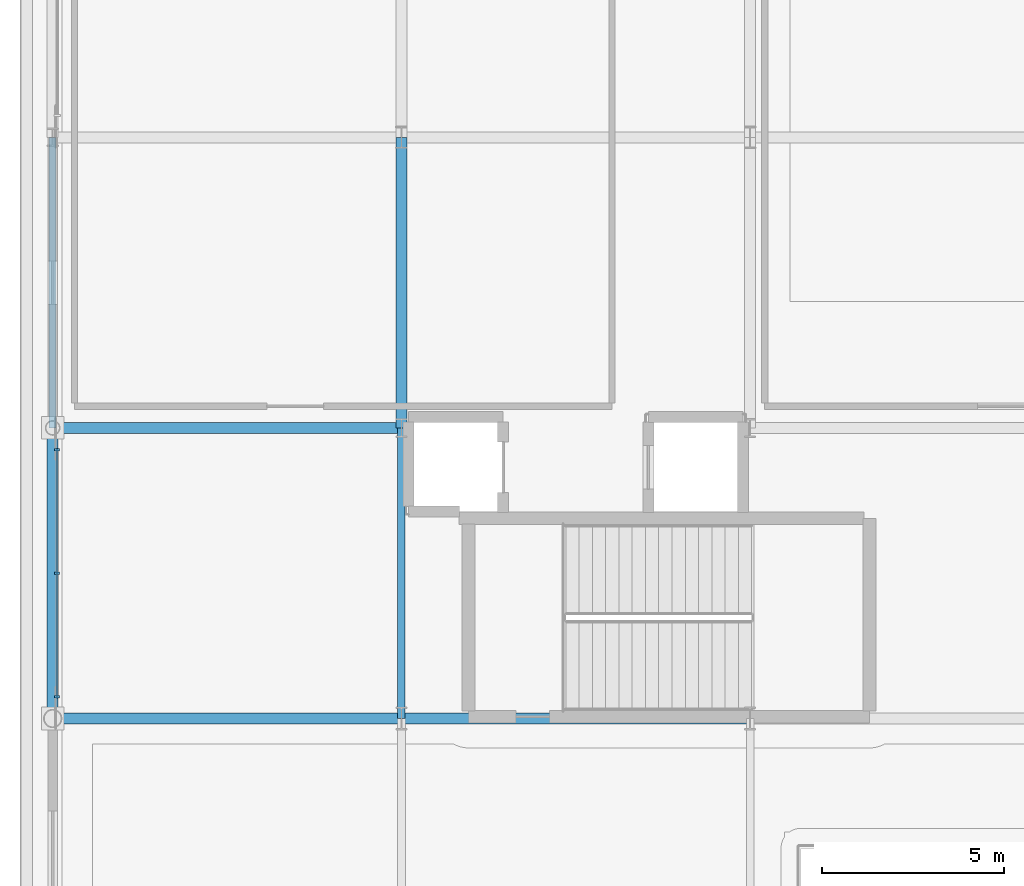
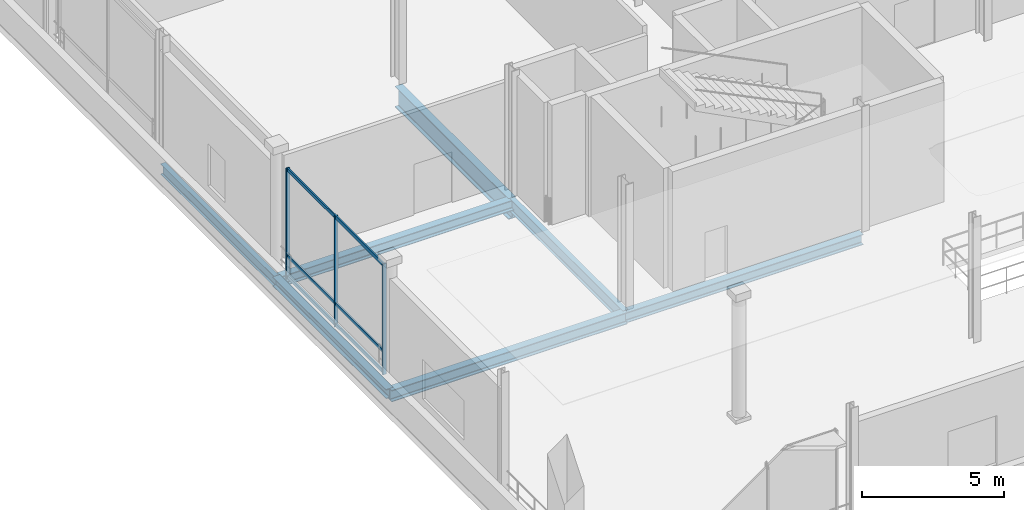
# One storey, part 28 of 129: 7 beams, 6 members, 1 element without a shape of its own.
"""IFC4 building model written with IfcOpenShell, lengths in metres."""

from ifc_helpers import new_model, si_unit, direction, frame, origin, origin_2d, place, context, subcontext, project, spatial, rectangle, i_section, extrude, material, material_profile, profile_set, type_object, element, aggregate, save


model = new_model("IFC4")

# Units and contexts
model_context = context("Model", 3, precision=1e-05, world=origin(), true_north=direction((0.0, 1.0)))
body_context = subcontext(model_context, "Body", "Model", "MODEL_VIEW")
ifc_project = project(units=[si_unit("LENGTHUNIT", "METRE"), si_unit("AREAUNIT", "SQUARE_METRE"), si_unit("VOLUMEUNIT", "CUBIC_METRE"), si_unit("PLANEANGLEUNIT", "RADIAN"), si_unit("MASSUNIT", "GRAM", prefix="KILO")], contexts=[model_context])

# Site, building, storey
site_placement = place(None, origin())
site = spatial("IfcSite", under=ifc_project, at=site_placement, CompositionType="ELEMENT")
building_placement = place(site_placement, origin())
building = spatial("IfcBuilding", under=site, at=building_placement, Name="Danafjord Basin Convention Centre", CompositionType="ELEMENT")
storey_placement = place(building_placement, frame((0.0, 0.0, 6.0)))
storey = spatial("IfcBuildingStorey", under=building, at=storey_placement, Name="L01", CompositionType="ELEMENT", Elevation=6.0)

# Beams
ifc_material_1 = material(Name="Steel S355", Category="steel")
ifc_material_profile_1 = material_profile(ifc_material_1, i_section(OverallWidth=0.300048828125, OverallDepth=0.449951171875, WebThickness=0.013916015625, FlangeThickness=0.02587890625, FilletRadius=0.027099609375, at=origin_2d()), Name="HEB 450")
ifc_profile_set_1 = profile_set([ifc_material_profile_1], Name="Steel S355")
beam_type_1 = type_object("IfcBeamType", Name="BEAM-BM-HEB450", PredefinedType="BEAM", material=ifc_profile_set_1)
beam_1_placement = place(storey_placement, frame((0.0, 24.0, -0.455078125), z_axis=(1.0, 0.0, 0.0), x_axis=(0.0, 1.0, 0.0)))
element("IfcBeam", 1, at=beam_1_placement, inside=storey, type_object=beam_type_1, Name="L01 girder BM-HEB450", PredefinedType="BEAM", context=body_context, shape_type="SweptSolid", body=[
    extrude(i_section(OverallWidth=0.300048828125, OverallDepth=0.449951171875, WebThickness=0.013916015625, FlangeThickness=0.02587890625, FilletRadius=0.027099609375, at=origin_2d()), origin(), (0.0, 0.0, 1.0), 9.60009765625),
])
beam_2_placement = place(storey_placement, frame((9.60009765625, 16.0, -0.455078125), z_axis=(1.0, 0.0, 0.0), x_axis=(0.0, 1.0, 0.0)))
element("IfcBeam", 2, at=beam_2_placement, inside=storey, type_object=beam_type_1, Name="L01 girder BM-HEB450", PredefinedType="BEAM", context=body_context, shape_type="SweptSolid", body=[
    extrude(i_section(OverallWidth=0.300048828125, OverallDepth=0.449951171875, WebThickness=0.013916015625, FlangeThickness=0.02587890625, FilletRadius=0.027099609375, at=origin_2d()), origin(), (0.0, 0.0, 1.0), 9.599853515625),
])
ifc_material_profile_2 = material_profile(ifc_material_1, i_section(OverallWidth=0.300048828125, OverallDepth=0.5, WebThickness=0.014404296875, FlangeThickness=0.028076171875, FilletRadius=0.027099609375, at=origin_2d()), Name="HEB 500")
ifc_profile_set_2 = profile_set([ifc_material_profile_2], Name="Steel S355")
beam_type_2 = type_object("IfcBeamType", Name="BEAM-BM-HEB500", PredefinedType="BEAM", material=ifc_profile_set_2)
beam_3_placement = place(storey_placement, frame((0.0, 16.0, -0.47998046875), z_axis=(1.0, 0.0, 0.0), x_axis=(0.0, 1.0, 0.0)))
element("IfcBeam", 3, at=beam_3_placement, inside=storey, type_object=beam_type_2, Name="L01 girder BM-HEB500", PredefinedType="BEAM", context=body_context, shape_type="SweptSolid", body=[
    extrude(i_section(OverallWidth=0.300048828125, OverallDepth=0.5, WebThickness=0.014404296875, FlangeThickness=0.028076171875, FilletRadius=0.027099609375, at=origin_2d()), origin(), (0.0, 0.0, 1.0), 9.60009765625),
])
ifc_material_profile_3 = material_profile(ifc_material_1, i_section(OverallWidth=0.300048828125, OverallDepth=0.89990234375, WebThickness=0.0185546875, FlangeThickness=0.034912109375, FilletRadius=0.030029296875, at=origin_2d()), Name="HEB 900")
ifc_profile_set_3 = profile_set([ifc_material_profile_3], Name="Steel S355")
beam_type_3 = type_object("IfcBeamType", Name="BEAM-BM-HEB900", PredefinedType="BEAM", material=ifc_profile_set_3)
beam_4_placement = place(storey_placement, frame((9.60009765625, 24.0, -0.679931640625), z_axis=(0.0, 1.0, 0.0), x_axis=(-1.0, 0.0, 0.0)))
element("IfcBeam", 4, at=beam_4_placement, inside=storey, type_object=beam_type_3, Name="L01 transverse girder BM-HEB900", PredefinedType="BEAM", context=body_context, shape_type="SweptSolid", body=[
    extrude(i_section(OverallWidth=0.300048828125, OverallDepth=0.89990234375, WebThickness=0.0185546875, FlangeThickness=0.034912109375, FilletRadius=0.030029296875, at=origin_2d()), origin(), (0.0, 0.0, 1.0), 8.0),
])
ifc_material_profile_4 = material_profile(ifc_material_1, i_section(OverallWidth=0.2099609375, OverallDepth=0.550048828125, WebThickness=0.010986328125, FlangeThickness=0.01708984375, FilletRadius=0.02392578125, at=origin_2d()), Name="IPE 550")
ifc_profile_set_4 = profile_set([ifc_material_profile_4], Name="Steel S355")
beam_type_4 = type_object("IfcBeamType", Name="BEAM-BM-IPE550", PredefinedType="BEAM", material=ifc_profile_set_4)
beam_5_placement = place(storey_placement, frame((9.60009765625, 16.0, -0.5048828125), z_axis=(0.0, 1.0, 0.0), x_axis=(-1.0, 0.0, 0.0)))
element("IfcBeam", 5, at=beam_5_placement, inside=storey, type_object=beam_type_4, Name="L01 transverse girder BM-IPE550", PredefinedType="BEAM", context=body_context, shape_type="SweptSolid", body=[
    extrude(i_section(OverallWidth=0.2099609375, OverallDepth=0.550048828125, WebThickness=0.010986328125, FlangeThickness=0.01708984375, FilletRadius=0.02392578125, at=origin_2d()), origin(), (0.0, 0.0, 1.0), 8.0),
])
ifc_material_profile_5 = material_profile(ifc_material_1, i_section(OverallWidth=0.300048828125, OverallDepth=0.39990234375, WebThickness=0.013427734375, FlangeThickness=0.02392578125, FilletRadius=0.027099609375, at=origin_2d()), Name="HEB 400")
ifc_profile_set_5 = profile_set([ifc_material_profile_5], Name="Steel S355")
beam_type_5 = type_object("IfcBeamType", Name="BEAM-SP-HEB400", PredefinedType="SPANDREL", material=ifc_profile_set_5)
beam_6_placement = place(storey_placement, frame((0.0, 16.0, -0.429931640625), z_axis=(0.0, 1.0, 0.0), x_axis=(-1.0, 0.0, 0.0)))
element("IfcBeam", 6, at=beam_6_placement, inside=storey, type_object=beam_type_5, Name="L01 transverse girder SP-HEB400", PredefinedType="SPANDREL", context=body_context, shape_type="SweptSolid", body=[
    extrude(i_section(OverallWidth=0.300048828125, OverallDepth=0.39990234375, WebThickness=0.013427734375, FlangeThickness=0.02392578125, FilletRadius=0.027099609375, at=origin_2d()), origin(), (0.0, 0.0, 1.0), 8.0),
])
ifc_material_profile_6 = material_profile(ifc_material_1, i_section(OverallWidth=0.18994140625, OverallDepth=0.449951171875, WebThickness=0.009521484375, FlangeThickness=0.0146484375, FilletRadius=0.02099609375, at=origin_2d()), Name="IPE 450")
ifc_profile_set_6 = profile_set([ifc_material_profile_6], Name="Steel S355")
beam_type_6 = type_object("IfcBeamType", Name="BEAM-SP-IPE450", PredefinedType="SPANDREL", material=ifc_profile_set_6)
beam_7_placement = place(storey_placement, frame((0.0, 24.0, -0.455078125), z_axis=(0.0, 1.0, 0.0), x_axis=(-1.0, 0.0, 0.0)))
element("IfcBeam", 7, at=beam_7_placement, inside=storey, type_object=beam_type_6, Name="L01 transverse girder SP-IPE450", PredefinedType="SPANDREL", context=body_context, shape_type="SweptSolid", body=[
    extrude(i_section(OverallWidth=0.18994140625, OverallDepth=0.449951171875, WebThickness=0.009521484375, FlangeThickness=0.0146484375, FilletRadius=0.02099609375, at=origin_2d()), origin(), (0.0, 0.0, 1.0), 8.0),
])

# Curtain wall, members
ifc_material_2 = material(Name="Anodised aluminium and triple glazing", Category="aluminium")
curtain_wall_type = type_object("IfcCurtainWallType", Name="CW-CW-TERR", PredefinedType="NOTDEFINED", material=ifc_material_2)
curtain_wall_placement = place(storey_placement, origin())
curtain_wall = element("IfcCurtainWall", 8, at=curtain_wall_placement, inside=storey, type_object=curtain_wall_type, Name="L01 CW-TERR unitised curtain wall bay 55", PredefinedType="NOTDEFINED")
ifc_material_3 = material(Name="Anodised aluminium EN AW-6060", Category="aluminium")
ifc_material_profile_7 = material_profile(ifc_material_3, rectangle(XDim=0.06005859375, YDim=0.139892578125, at=origin_2d()), Name="MULL 60x140")
ifc_profile_set_7 = profile_set([ifc_material_profile_7], Name="Anodised aluminium EN AW-6060")
member_type_1 = type_object("IfcMemberType", Name="MEM-ML-140", PredefinedType="MULLION", material=ifc_profile_set_7)
member_1_placement = place(storey_placement, frame((0.1201171875, 23.39990234375, -0.02490234375), z_axis=(0.0, 0.0, 1.0), x_axis=(0.0, -1.0, 0.0)))
member_1 = element("IfcMember", 9, at=member_1_placement, type_object=member_type_1, Name="CW-L01-055 mullion 1", PredefinedType="MULLION", context=body_context, shape_type="SweptSolid", body=[
    extrude(rectangle(XDim=0.06005859375, YDim=0.139892578125, at=origin_2d()), origin(), (0.0, 0.0, 1.0), 4.764892578125),
])
member_2_placement = place(storey_placement, frame((0.1201171875, 20.0, -0.02490234375), z_axis=(0.0, 0.0, 1.0), x_axis=(0.0, -1.0, 0.0)))
member_2 = element("IfcMember", 10, at=member_2_placement, type_object=member_type_1, Name="CW-L01-055 mullion 2", PredefinedType="MULLION", context=body_context, shape_type="SweptSolid", body=[
    extrude(rectangle(XDim=0.06005859375, YDim=0.139892578125, at=origin_2d()), origin(), (0.0, 0.0, 1.0), 4.764892578125),
])
member_3_placement = place(storey_placement, frame((0.1201171875, 16.60009765625, -0.02490234375), z_axis=(0.0, 0.0, 1.0), x_axis=(0.0, -1.0, 0.0)))
member_3 = element("IfcMember", 11, at=member_3_placement, type_object=member_type_1, Name="CW-L01-055 mullion 3", PredefinedType="MULLION", context=body_context, shape_type="SweptSolid", body=[
    extrude(rectangle(XDim=0.06005859375, YDim=0.139892578125, at=origin_2d()), origin(), (0.0, 0.0, 1.0), 4.764892578125),
])
ifc_material_profile_8 = material_profile(ifc_material_3, rectangle(XDim=0.06005859375, YDim=0.14990234375, at=origin_2d()), Name="TRAN 60x150")
ifc_profile_set_8 = profile_set([ifc_material_profile_8], Name="Anodised aluminium EN AW-6060")
member_type_2 = type_object("IfcMemberType", Name="MEM-TR-150", PredefinedType="USERDEFINED", material=ifc_profile_set_8)
member_4_placement = place(storey_placement, frame((0.1201171875, 23.39990234375, 0.06005859375), z_axis=(0.0, -1.0, 0.0), x_axis=(1.0, 0.0, 0.0)))
member_4 = element("IfcMember", 12, at=member_4_placement, type_object=member_type_2, Name="CW-L01-055 transom 1", ObjectType="TRANSOM", PredefinedType="USERDEFINED", context=body_context, shape_type="SweptSolid", body=[
    extrude(rectangle(XDim=0.06005859375, YDim=0.14990234375, at=origin_2d()), origin(), (0.0, 0.0, 1.0), 6.7998046875),
])
member_5_placement = place(storey_placement, frame((0.1201171875, 23.39990234375, 0.949951171875), z_axis=(0.0, -1.0, 0.0), x_axis=(1.0, 0.0, 0.0)))
member_5 = element("IfcMember", 13, at=member_5_placement, type_object=member_type_2, Name="CW-L01-055 transom 2", ObjectType="TRANSOM", PredefinedType="USERDEFINED", context=body_context, shape_type="SweptSolid", body=[
    extrude(rectangle(XDim=0.06005859375, YDim=0.14990234375, at=origin_2d()), origin(), (0.0, 0.0, 1.0), 6.7998046875),
])
member_6_placement = place(storey_placement, frame((0.1201171875, 23.39990234375, 4.669921875), z_axis=(0.0, -1.0, 0.0), x_axis=(1.0, 0.0, 0.0)))
member_6 = element("IfcMember", 14, at=member_6_placement, type_object=member_type_2, Name="CW-L01-055 transom 3", ObjectType="TRANSOM", PredefinedType="USERDEFINED", context=body_context, shape_type="SweptSolid", body=[
    extrude(rectangle(XDim=0.06005859375, YDim=0.14990234375, at=origin_2d()), origin(), (0.0, 0.0, 1.0), 6.7998046875),
])
aggregate(curtain_wall, [member_1, member_2, member_3, member_4, member_5, member_6])

save(model, "model.ifc")
